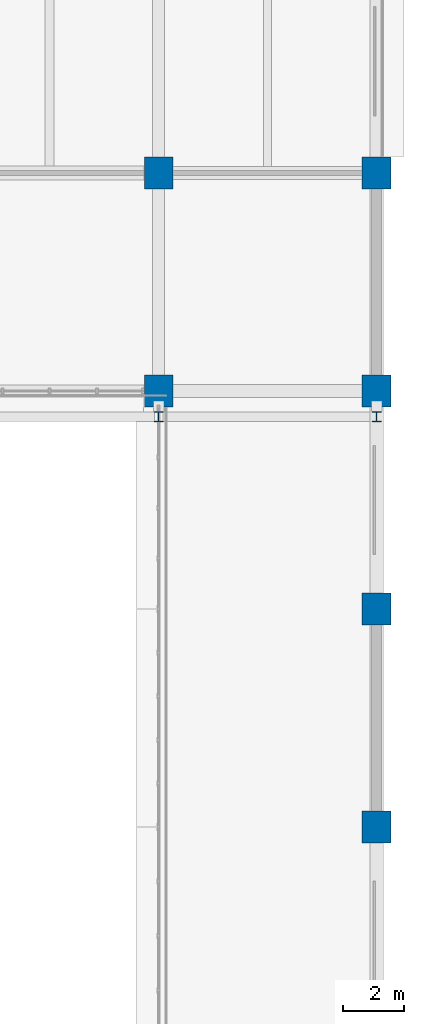
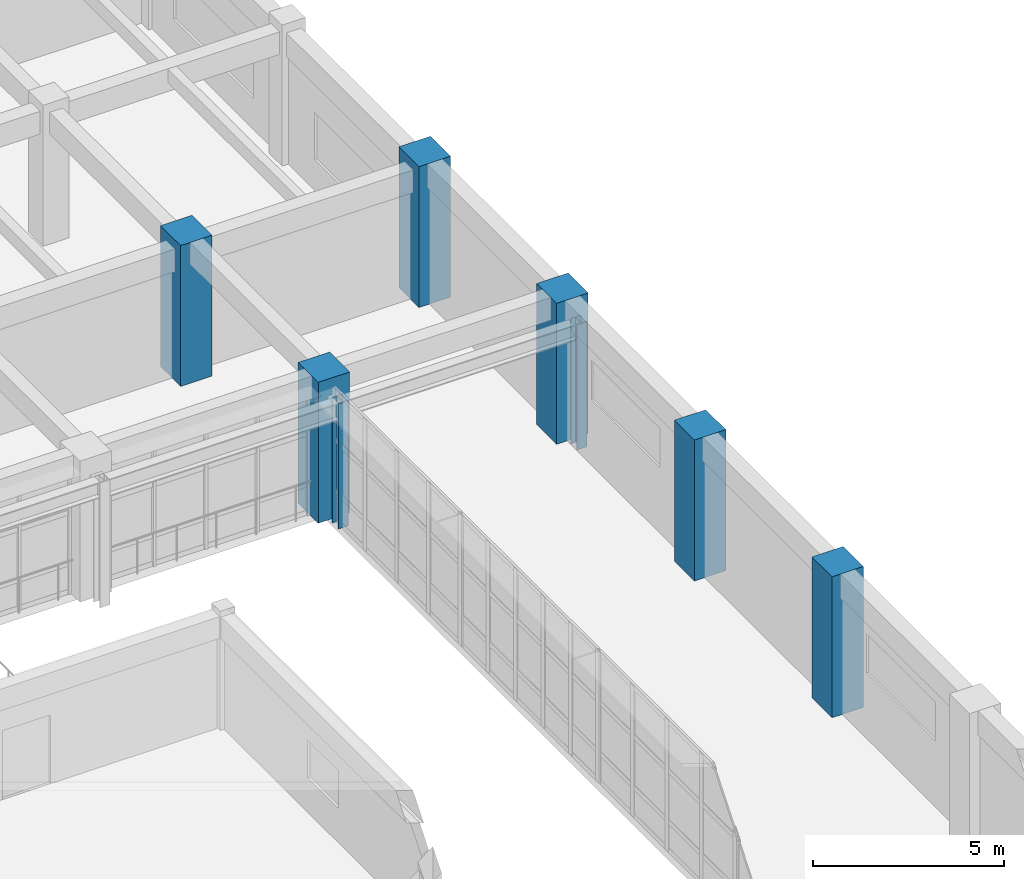
# One storey, part 9 of 171: 8 columns.
"""IFC4 building model written with IfcOpenShell, lengths in metres."""

from ifc_helpers import new_model, si_unit, direction, frame, origin, origin_2d, place, context, subcontext, project, spatial, rectangle, i_section, extrude, material, material_profile, profile_set, type_object, element, save


model = new_model("IFC4")

# Units and contexts
model_context = context("Model", 3, precision=1e-05, world=origin(), true_north=direction((0.0, 1.0)))
body_context = subcontext(model_context, "Body", "Model", "MODEL_VIEW")
ifc_project = project(units=[si_unit("LENGTHUNIT", "METRE"), si_unit("AREAUNIT", "SQUARE_METRE"), si_unit("VOLUMEUNIT", "CUBIC_METRE"), si_unit("PLANEANGLEUNIT", "RADIAN"), si_unit("MASSUNIT", "GRAM", prefix="KILO")], contexts=[model_context])

# Site, building, storey
site_placement = place(None, origin())
site = spatial("IfcSite", under=ifc_project, at=site_placement, CompositionType="ELEMENT")
building_placement = place(site_placement, origin())
building = spatial("IfcBuilding", under=site, at=building_placement, Name="Thalmaran Polytechnic", CompositionType="ELEMENT")
storey_placement = place(building_placement, frame((0.0, 0.0, 5.39990234375)))
storey = spatial("IfcBuildingStorey", under=building, at=storey_placement, Name="L01", CompositionType="ELEMENT", Elevation=5.39990234375)

# Columns
ifc_material_1 = material(Name="Steel S355", Category="steel")
ifc_material_profile_1 = material_profile(ifc_material_1, i_section(OverallWidth=0.300048828125, OverallDepth=0.340087890625, WebThickness=0.011962890625, FlangeThickness=0.021484375, at=origin_2d()), Name="HEB 340")
ifc_profile_set_1 = profile_set([ifc_material_profile_1], Name="Steel S355")
column_type_1 = type_object("IfcColumnType", Name="COL-SC1", PredefinedType="COLUMN", material=ifc_profile_set_1)
for number, where, z_axis, x_axis, name in (
    (1, (165.60009765625, 49.550048828125, 0.0), (0.0, 0.0, 1.0), (1.0, 0.0, 0.0), "Workshop Crane Runway Column L01 (23,7)"),
    (2, (172.800048828125, 49.550048828125, 0.0), (0.0, 0.0, 1.0), (1.0, 0.0, 0.0), "Workshop Crane Runway Column L01 (24,7)"),
):
    element("IfcColumn", number, at=place(storey_placement, frame(where, z_axis=z_axis, x_axis=x_axis)), inside=storey, type_object=column_type_1, Name=name, PredefinedType="COLUMN", context=body_context, shape_type="SweptSolid", body=[
        extrude(i_section(OverallWidth=0.300048828125, OverallDepth=0.340087890625, WebThickness=0.011962890625, FlangeThickness=0.021484375, at=origin_2d()), origin(), (0.0, 0.0, 1.0), 4.0),
    ])
ifc_material_2 = material(Name="Concrete C50/60", Category="concrete")
ifc_material_profile_2 = material_profile(ifc_material_2, rectangle(XDim=0.949951171875, YDim=1.050048828125, at=origin_2d()), Name="RC 950x1050")
ifc_profile_set_2 = profile_set([ifc_material_profile_2], Name="Concrete C50/60")
column_type_2 = type_object("IfcColumnType", Name="COL-WP2", PredefinedType="COLUMN", material=ifc_profile_set_2)
for number, where, z_axis, x_axis, name in (
    (3, (165.60009765625, 50.39990234375, 0.0), (0.0, 0.0, 1.0), (1.0, 0.0, 0.0), "Column WP2 L01 (23,7)"),
    (4, (165.60009765625, 57.60009765625, 0.0), (0.0, 0.0, 1.0), (1.0, 0.0, 0.0), "Column WP2 L01 (23,8)"),
    (5, (172.800048828125, 36.0, 0.0), (0.0, 0.0, 1.0), (1.0, 0.0, 0.0), "Column WP2 L01 (24,5)"),
    (6, (172.800048828125, 43.199951171875, 0.0), (0.0, 0.0, 1.0), (1.0, 0.0, 0.0), "Column WP2 L01 (24,6)"),
    (7, (172.800048828125, 50.39990234375, 0.0), (0.0, 0.0, 1.0), (1.0, 0.0, 0.0), "Column WP2 L01 (24,7)"),
    (8, (172.800048828125, 57.60009765625, 0.0), (0.0, 0.0, 1.0), (1.0, 0.0, 0.0), "Column WP2 L01 (24,8)"),
):
    element("IfcColumn", number, at=place(storey_placement, frame(where, z_axis=z_axis, x_axis=x_axis)), inside=storey, type_object=column_type_2, Name=name, PredefinedType="COLUMN", context=body_context, shape_type="SweptSolid", body=[
        extrude(rectangle(XDim=0.949951171875, YDim=1.050048828125, at=origin_2d()), origin(), (0.0, 0.0, 1.0), 4.5),
    ])

save(model, "model.ifc")
